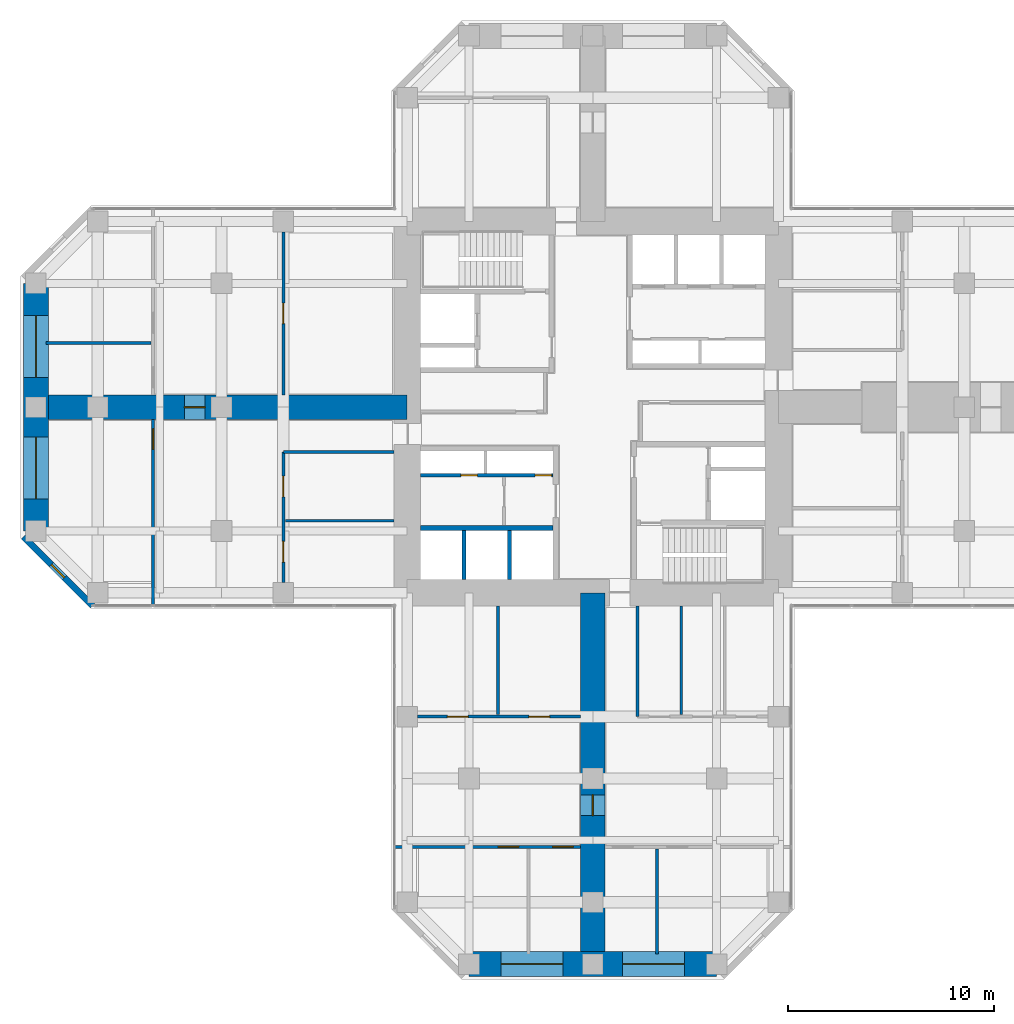
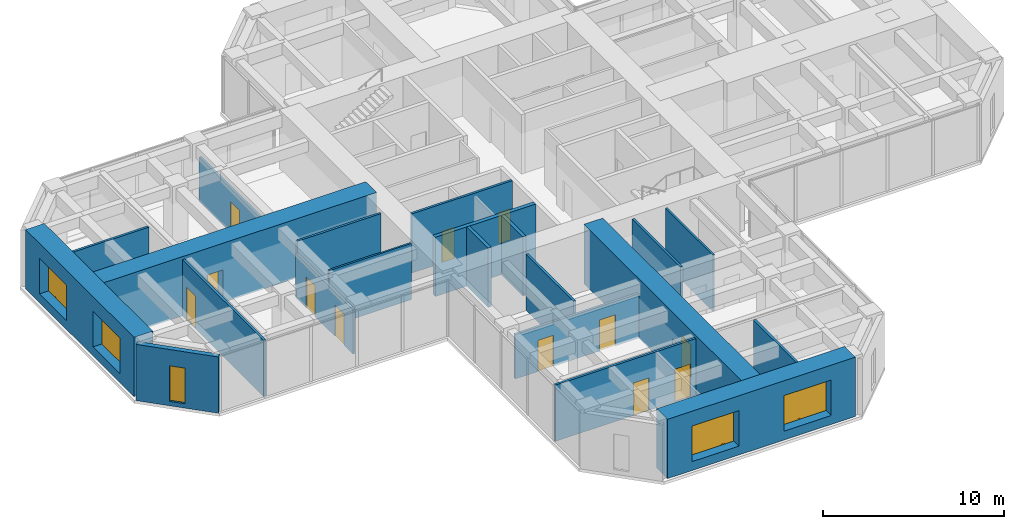
# One storey, part 8 of 13: 21 walls, 12 doors, 5 windows, 17 openings.
"""IFC4 building model written with IfcOpenShell, lengths in metres."""

from ifc_helpers import new_model, si_unit, direction, frame, frame_2d, origin, place, context, subcontext, project, spatial, rectangle, hollow_rectangle, extrude, material, layer, layer_set, constituent, constituent_set, type_object, element, fill, save


model = new_model("IFC4")

# Units and contexts
model_context = context("Model", 3, precision=1e-05, world=origin(), true_north=direction((0.0, 1.0)))
body_context = subcontext(model_context, "Body", "Model", "MODEL_VIEW")
ifc_project = project(units=[si_unit("LENGTHUNIT", "METRE"), si_unit("AREAUNIT", "SQUARE_METRE"), si_unit("VOLUMEUNIT", "CUBIC_METRE"), si_unit("PLANEANGLEUNIT", "RADIAN"), si_unit("MASSUNIT", "GRAM", prefix="KILO")], contexts=[model_context])

# Site, building, storey
site_placement = place(None, origin())
site = spatial("IfcSite", under=ifc_project, at=site_placement, CompositionType="ELEMENT")
building_placement = place(site_placement, origin())
building = spatial("IfcBuilding", under=site, at=building_placement, Name="Torre Cruceta", CompositionType="ELEMENT")
storey_placement = place(building_placement, frame((0.0, 0.0, 156.5)))
storey = spatial("IfcBuildingStorey", under=building, at=storey_placement, Name="L38", CompositionType="ELEMENT", Elevation=156.5)

# Wall
ifc_material_1 = material(Name="Concrete G60 (fck 60 MPa)", Category="concrete")
ifc_layer_1 = layer(ifc_material_1, 0.25)
ifc_layer_set_1 = layer_set([ifc_layer_1], Name="Concrete G60 (fck 60 MPa)")
wall_type_1 = type_object("IfcWallType", Name="CORE INNER WALL 250 G60", PredefinedType="SHEAR", material=ifc_layer_set_1)
wall_1_placement = place(storey_placement, frame((-1.925048828125, -5.85009765625, 0.0), z_axis=(0.0, 0.0, 1.0), x_axis=(-1.0, 0.0, 0.0)))
element("IfcWall", 1, at=wall_1_placement, inside=storey, type_object=wall_type_1, Name="CW4 L38 SW-LV", PredefinedType="SHEAR", context=body_context, shape_type="SweptSolid", body=[
    extrude(rectangle(XDim=6.425048828125, YDim=0.25, at=frame_2d((3.21240234375, 0.0))), origin(), (0.0, 0.0, 1.0), 4.0),
])

# Wall, opening, window
ifc_material_2 = material(Name="Concrete G30 (fck 30 MPa)", Category="concrete")
ifc_layer_2 = layer(ifc_material_2, 0.300048828125)
ifc_layer_set_2 = layer_set([ifc_layer_2], Name="Concrete G30 (fck 30 MPa)")
wall_type_2 = type_object("IfcWallType", Name="EXPOSED CONCRETE FACADE WALL 300", PredefinedType="SOLIDWALL", material=ifc_layer_set_2)
wall_2_placement = place(storey_placement, frame((-27.60009765625, -6.27685546875, 0.0), z_axis=(0.0, 0.0, 1.0), x_axis=(0.707106781187, -0.707106781187, 0.0)))
wall_2 = element("IfcWall", 2, at=wall_2_placement, inside=storey, type_object=wall_type_2, Name="EW1 facade wall L38 W chamfer 13", PredefinedType="SOLIDWALL", context=body_context, shape_type="SweptSolid", body=[
    extrude(rectangle(XDim=4.72802734375, YDim=0.300048828125, at=frame_2d((2.364013671875, 0.0))), origin(), (0.0, 0.0, 1.0), 3.800048828125),
])
opening_1_placement = place(wall_2_placement, frame((1.9140625, 0.0, 0.300048828125)))
opening_1 = element("IfcOpeningElement", 3, at=opening_1_placement, cuts=wall_2, Name="Opening WN5", PredefinedType="OPENING", context=body_context, shape_type="SweptSolid", body=[
    extrude(rectangle(XDim=0.89990234375, YDim=2.39990234375, at=frame_2d((0.449951171875, 1.199951171875))), frame((0.0, 0.159912109375, 0.0), z_axis=(0.0, -1.0, 0.0), x_axis=(1.0, 0.0, 0.0)), (0.0, 0.0, 1.0), 0.320068359375),
])
ifc_material_3 = material(Name="Aluminium window frame", Category="aluminium")
ifc_constituent_1 = constituent(ifc_material_3, Name="Frame")
ifc_material_4 = material(Name="Laminated insulating glass unit, low-iron clear", Category="glass")
ifc_constituent_2 = constituent(ifc_material_4, Name="Glazing")
ifc_constituent_set_1 = constituent_set(constituents=[ifc_constituent_1, ifc_constituent_2], Name="Aluminium window")
window_type_1 = type_object("IfcWindowType", Name="CHAMFER SLOT WINDOW 900X2400", PartitioningType="SINGLE_PANEL", PredefinedType="WINDOW", material=ifc_constituent_set_1)
window_1_placement = place(opening_1_placement, origin())
window_1 = element("IfcWindow", 4, at=window_1_placement, inside=storey, type_object=window_type_1, Name="WN5 L38 W 1", OverallHeight=2.39990234375, OverallWidth=0.89990234375, PartitioningType="SINGLE_PANEL", PredefinedType="WINDOW", context=body_context, shape_type="SweptSolid", body=[
    extrude(hollow_rectangle(XDim=0.89990234375, YDim=2.39990234375, WallThickness=0.06005859375, at=frame_2d((0.449951171875, 1.199951171875))), frame((0.0, 0.030029296875, 0.0), z_axis=(0.0, -1.0, 0.0), x_axis=(1.0, 0.0, 0.0)), (0.0, 0.0, 1.0), 0.06005859375),
    extrude(rectangle(XDim=0.77880859375, YDim=2.27880859375, at=frame_2d((0.449951171875, 1.199951171875))), frame((0.0, 0.030029296875, 0.0), z_axis=(0.0, -1.0, 0.0), x_axis=(1.0, 0.0, 0.0)), (0.0, 0.0, 1.0), 0.06005859375),
])
fill(opening_1, window_1)

# Walls
ifc_material_5 = material(Name="Concrete G35 (fck 35 MPa)", Category="concrete")
ifc_layer_3 = layer(ifc_material_5, 0.199951171875)
ifc_layer_set_3 = layer_set([ifc_layer_3], Name="Concrete G35 (fck 35 MPa)")
wall_type_3 = type_object("IfcWallType", Name="LIFT SHAFT WALL 200", PredefinedType="PARTITIONING", material=ifc_layer_set_3)
for number, where, z_axis, x_axis, name in (
    (5, (-4.033447265625, -5.97509765625, 0.0), (0.0, 0.0, 1.0), (0.0, -1.0, 0.0), "SW1 L38 SW-LS1"),
    (6, (-6.24169921875, -5.97509765625, 0.0), (0.0, 0.0, 1.0), (0.0, -1.0, 0.0), "SW1 L38 SW-LS2"),
):
    element("IfcWall", number, at=place(storey_placement, frame(where, z_axis=z_axis, x_axis=x_axis)), inside=storey, type_object=wall_type_3, Name=name, PredefinedType="PARTITIONING", context=body_context, shape_type="SweptSolid", body=[
        extrude(rectangle(XDim=2.375, YDim=0.199951171875, at=frame_2d((1.1875, 0.0))), origin(), (0.0, 0.0, 1.0), 4.0),
    ])

# Wall, openings, windows
ifc_material_6 = material(Name="Concrete G60 (fck 60 MPa)", Category="concrete")
ifc_layer_4 = layer(ifc_material_6, 1.199951171875)
ifc_layer_set_4 = layer_set([ifc_layer_4], Name="Concrete G60 (fck 60 MPa)")
wall_type_4 = type_object("IfcWallType", Name="NOSE WALL 1200 G60", PredefinedType="SHEAR", material=ifc_layer_set_4)
wall_3_placement = place(storey_placement, frame((-6.0, -27.0, 0.0), z_axis=(0.0, 0.0, 1.0), x_axis=(1.0, 0.0, 0.0)))
wall_3 = element("IfcWall", 7, at=wall_3_placement, inside=storey, type_object=wall_type_4, Name="NW1 nose wall L38 S", PredefinedType="SHEAR", context=body_context, shape_type="SweptSolid", body=[
    extrude(rectangle(XDim=12.0, YDim=1.199951171875, at=frame_2d((6.0, 0.0))), origin(), (0.0, 0.0, 1.0), 4.0),
])
opening_2_placement = place(wall_3_placement, frame((1.550048828125, 0.0, 0.60009765625)))
opening_2 = element("IfcOpeningElement", 8, at=opening_2_placement, cuts=wall_3, Name="Opening WN6", PredefinedType="OPENING", context=body_context, shape_type="SweptSolid", body=[
    extrude(rectangle(XDim=3.0, YDim=2.39990234375, at=frame_2d((1.5, 1.199951171875))), frame((0.0, 0.60986328125, 0.0), z_axis=(0.0, -1.0, 0.0), x_axis=(1.0, 0.0, 0.0)), (0.0, 0.0, 1.0), 1.219970703125),
])
opening_3_placement = place(wall_3_placement, frame((7.449951171875, 0.0, 0.60009765625)))
opening_3 = element("IfcOpeningElement", 9, at=opening_3_placement, cuts=wall_3, Name="Opening WN6", PredefinedType="OPENING", context=body_context, shape_type="SweptSolid", body=[
    extrude(rectangle(XDim=3.0, YDim=2.39990234375, at=frame_2d((1.5, 1.199951171875))), frame((0.0, 0.60986328125, 0.0), z_axis=(0.0, -1.0, 0.0), x_axis=(1.0, 0.0, 0.0)), (0.0, 0.0, 1.0), 1.219970703125),
])
ifc_material_7 = material(Name="Aluminium window frame", Category="aluminium")
ifc_constituent_3 = constituent(ifc_material_7, Name="Frame")
ifc_material_8 = material(Name="Laminated insulating glass unit, low-iron clear", Category="glass")
ifc_constituent_4 = constituent(ifc_material_8, Name="Glazing")
ifc_constituent_set_2 = constituent_set(constituents=[ifc_constituent_3, ifc_constituent_4], Name="Aluminium window")
window_type_2 = type_object("IfcWindowType", Name="NOSE WALL WINDOW 3000X2400", PartitioningType="SINGLE_PANEL", PredefinedType="WINDOW", material=ifc_constituent_set_2)
window_2_placement = place(opening_2_placement, origin())
window_2 = element("IfcWindow", 10, at=window_2_placement, inside=storey, type_object=window_type_2, Name="WN6 L38 S 1", OverallHeight=2.39990234375, OverallWidth=3.0, PartitioningType="SINGLE_PANEL", PredefinedType="WINDOW", context=body_context, shape_type="SweptSolid", body=[
    extrude(hollow_rectangle(XDim=3.0, YDim=2.39990234375, WallThickness=0.06005859375, at=frame_2d((1.5, 1.199951171875))), frame((0.0, 0.030029296875, 0.0), z_axis=(0.0, -1.0, 0.0), x_axis=(1.0, 0.0, 0.0)), (0.0, 0.0, 1.0), 0.06005859375),
    extrude(rectangle(XDim=2.87890625, YDim=2.27880859375, at=frame_2d((1.5, 1.199951171875))), frame((0.0, 0.030029296875, 0.0), z_axis=(0.0, -1.0, 0.0), x_axis=(1.0, 0.0, 0.0)), (0.0, 0.0, 1.0), 0.06005859375),
])
fill(opening_2, window_2)
window_3_placement = place(opening_3_placement, origin())
window_3 = element("IfcWindow", 11, at=window_3_placement, inside=storey, type_object=window_type_2, Name="WN6 L38 S 2", OverallHeight=2.39990234375, OverallWidth=3.0, PartitioningType="SINGLE_PANEL", PredefinedType="WINDOW", context=body_context, shape_type="SweptSolid", body=[
    extrude(hollow_rectangle(XDim=3.0, YDim=2.39990234375, WallThickness=0.06005859375, at=frame_2d((1.5, 1.199951171875))), frame((0.0, 0.030029296875, 0.0), z_axis=(0.0, -1.0, 0.0), x_axis=(1.0, 0.0, 0.0)), (0.0, 0.0, 1.0), 0.06005859375),
    extrude(rectangle(XDim=2.87890625, YDim=2.27880859375, at=frame_2d((1.5, 1.199951171875))), frame((0.0, 0.030029296875, 0.0), z_axis=(0.0, -1.0, 0.0), x_axis=(1.0, 0.0, 0.0)), (0.0, 0.0, 1.0), 0.06005859375),
])
fill(opening_3, window_3)

wall_4_placement = place(storey_placement, frame((-27.0, 6.0, 0.0), z_axis=(0.0, 0.0, 1.0), x_axis=(0.0, -1.0, 0.0)))
wall_4 = element("IfcWall", 12, at=wall_4_placement, inside=storey, type_object=wall_type_4, Name="NW1 nose wall L38 W", PredefinedType="SHEAR", context=body_context, shape_type="SweptSolid", body=[
    extrude(rectangle(XDim=12.0, YDim=1.199951171875, at=frame_2d((6.0, 0.0))), origin(), (0.0, 0.0, 1.0), 4.0),
])
opening_4_placement = place(wall_4_placement, frame((1.550048828125, 0.0, 0.60009765625)))
opening_4 = element("IfcOpeningElement", 13, at=opening_4_placement, cuts=wall_4, Name="Opening WN6", PredefinedType="OPENING", context=body_context, shape_type="SweptSolid", body=[
    extrude(rectangle(XDim=3.0, YDim=2.39990234375, at=frame_2d((1.5, 1.199951171875))), frame((0.0, 0.60986328125, 0.0), z_axis=(0.0, -1.0, 0.0), x_axis=(1.0, 0.0, 0.0)), (0.0, 0.0, 1.0), 1.219970703125),
])
opening_5_placement = place(wall_4_placement, frame((7.449951171875, 0.0, 0.60009765625)))
opening_5 = element("IfcOpeningElement", 14, at=opening_5_placement, cuts=wall_4, Name="Opening WN6", PredefinedType="OPENING", context=body_context, shape_type="SweptSolid", body=[
    extrude(rectangle(XDim=3.0, YDim=2.39990234375, at=frame_2d((1.5, 1.199951171875))), frame((0.0, 0.60986328125, 0.0), z_axis=(0.0, -1.0, 0.0), x_axis=(1.0, 0.0, 0.0)), (0.0, 0.0, 1.0), 1.219970703125),
])
window_4_placement = place(opening_4_placement, origin())
window_4 = element("IfcWindow", 15, at=window_4_placement, inside=storey, type_object=window_type_2, Name="WN6 L38 W 1", OverallHeight=2.39990234375, OverallWidth=3.0, PartitioningType="SINGLE_PANEL", PredefinedType="WINDOW", context=body_context, shape_type="SweptSolid", body=[
    extrude(hollow_rectangle(XDim=3.0, YDim=2.39990234375, WallThickness=0.06005859375, at=frame_2d((1.5, 1.199951171875))), frame((0.0, 0.030029296875, 0.0), z_axis=(0.0, -1.0, 0.0), x_axis=(1.0, 0.0, 0.0)), (0.0, 0.0, 1.0), 0.06005859375),
    extrude(rectangle(XDim=2.87890625, YDim=2.27880859375, at=frame_2d((1.5, 1.199951171875))), frame((0.0, 0.030029296875, 0.0), z_axis=(0.0, -1.0, 0.0), x_axis=(1.0, 0.0, 0.0)), (0.0, 0.0, 1.0), 0.06005859375),
])
fill(opening_4, window_4)
window_5_placement = place(opening_5_placement, origin())
window_5 = element("IfcWindow", 16, at=window_5_placement, inside=storey, type_object=window_type_2, Name="WN6 L38 W 2", OverallHeight=2.39990234375, OverallWidth=3.0, PartitioningType="SINGLE_PANEL", PredefinedType="WINDOW", context=body_context, shape_type="SweptSolid", body=[
    extrude(hollow_rectangle(XDim=3.0, YDim=2.39990234375, WallThickness=0.06005859375, at=frame_2d((1.5, 1.199951171875))), frame((0.0, 0.030029296875, 0.0), z_axis=(0.0, -1.0, 0.0), x_axis=(1.0, 0.0, 0.0)), (0.0, 0.0, 1.0), 0.06005859375),
    extrude(rectangle(XDim=2.87890625, YDim=2.27880859375, at=frame_2d((1.5, 1.199951171875))), frame((0.0, 0.030029296875, 0.0), z_axis=(0.0, -1.0, 0.0), x_axis=(1.0, 0.0, 0.0)), (0.0, 0.0, 1.0), 0.06005859375),
])
fill(opening_5, window_5)

# Wall
ifc_material_9 = material(Name="Plasterboard on steel studs", Category="steel")
ifc_layer_5 = layer(ifc_material_9, 0.14990234375)
ifc_layer_set_5 = layer_set([ifc_layer_5], Name="Plasterboard on steel studs")
wall_type_5 = type_object("IfcWallType", Name="PARTITION 150", PredefinedType="PARTITIONING", material=ifc_layer_set_5)
wall_5_placement = place(storey_placement, frame((2.175048828125, -9.64990234375, 0.0), z_axis=(0.0, 0.0, 1.0), x_axis=(0.0, -1.0, 0.0)))
element("IfcWall", 17, at=wall_5_placement, inside=storey, type_object=wall_type_5, Name="PT1 L38-S-BSL", PredefinedType="PARTITIONING", context=body_context, shape_type="SweptSolid", body=[
    extrude(rectangle(XDim=5.35009765625, YDim=0.14990234375, at=frame_2d((2.675048828125, 0.0))), origin(), (0.0, 0.0, 1.0), 3.800048828125),
])

# Wall, openings, doors
wall_6_placement = place(storey_placement, frame((-8.5, -15.0, 0.0), z_axis=(0.0, 0.0, 1.0), x_axis=(1.0, 0.0, 0.0)))
wall_6 = element("IfcWall", 18, at=wall_6_placement, inside=storey, type_object=wall_type_5, Name="PT1 L38-S-BFR", PredefinedType="PARTITIONING", context=body_context, shape_type="SweptSolid", body=[
    extrude(rectangle(XDim=7.89990234375, YDim=0.14990234375, at=frame_2d((3.949951171875, 0.0))), origin(), (0.0, 0.0, 1.0), 3.0),
])
opening_6_placement = place(wall_6_placement, frame((1.449951171875, 0.0, 0.0)))
opening_6 = element("IfcOpeningElement", 19, at=opening_6_placement, cuts=wall_6, Name="Opening D3", PredefinedType="OPENING", context=body_context, shape_type="SweptSolid", body=[
    extrude(rectangle(XDim=1.0, YDim=2.10009765625, at=frame_2d((0.5, 1.050048828125))), frame((0.0, 0.0849609375, 0.0), z_axis=(0.0, -1.0, 0.0), x_axis=(1.0, 0.0, 0.0)), (0.0, 0.0, 1.0), 0.169921875),
])
opening_7_placement = place(wall_6_placement, frame((5.39990234375, 0.0, 0.0)))
opening_7 = element("IfcOpeningElement", 20, at=opening_7_placement, cuts=wall_6, Name="Opening D3", PredefinedType="OPENING", context=body_context, shape_type="SweptSolid", body=[
    extrude(rectangle(XDim=1.0, YDim=2.10009765625, at=frame_2d((0.5, 1.050048828125))), frame((0.0, 0.0849609375, 0.0), z_axis=(0.0, -1.0, 0.0), x_axis=(1.0, 0.0, 0.0)), (0.0, 0.0, 1.0), 0.169921875),
])
ifc_material_10 = material(Name="Steel DX51D", Category="steel")
ifc_constituent_5 = constituent(ifc_material_10, Name="Leaf and frame")
ifc_material_11 = material(Name="Polyester powder coating", Category="paint")
ifc_constituent_6 = constituent(ifc_material_11, Name="Finish")
ifc_constituent_set_3 = constituent_set(constituents=[ifc_constituent_5, ifc_constituent_6], Name="Steel fire door")
door_type_1 = type_object("IfcDoorType", Name="FIRE DOOR 1000X2100", OperationType="SINGLE_SWING_LEFT", PredefinedType="DOOR", material=ifc_constituent_set_3)
door_1_placement = place(opening_6_placement, origin())
door_1 = element("IfcDoor", 21, at=door_1_placement, inside=storey, type_object=door_type_1, Name="D3 L38-S-BFR-D1", OperationType="SINGLE_SWING_RIGHT", OverallHeight=2.10009765625, OverallWidth=1.0, PredefinedType="DOOR", context=body_context, shape_type="SweptSolid", body=[
    extrude(rectangle(XDim=1.0, YDim=2.10009765625, at=frame_2d((0.5, 1.050048828125))), frame((0.0, 0.02490234375, 0.0), z_axis=(0.0, -1.0, 0.0), x_axis=(1.0, 0.0, 0.0)), (0.0, 0.0, 1.0), 0.050048828125),
])
fill(opening_6, door_1)
door_2_placement = place(opening_7_placement, origin())
door_2 = element("IfcDoor", 22, at=door_2_placement, inside=storey, type_object=door_type_1, Name="D3 L38-S-BFR-D2", OperationType="SINGLE_SWING_LEFT", OverallHeight=2.10009765625, OverallWidth=1.0, PredefinedType="DOOR", context=body_context, shape_type="SweptSolid", body=[
    extrude(rectangle(XDim=1.0, YDim=2.10009765625, at=frame_2d((0.5, 1.050048828125))), frame((0.0, 0.02490234375, 0.0), z_axis=(0.0, -1.0, 0.0), x_axis=(1.0, 0.0, 0.0)), (0.0, 0.0, 1.0), 0.050048828125),
])
fill(opening_7, door_2)

# Walls
wall_7_placement = place(storey_placement, frame((-4.60009765625, -9.64990234375, 0.0), z_axis=(0.0, 0.0, 1.0), x_axis=(0.0, -1.0, 0.0)))
element("IfcWall", 23, at=wall_7_placement, inside=storey, type_object=wall_type_5, Name="PT1 L38-S-BDR1", PredefinedType="PARTITIONING", context=body_context, shape_type="SweptSolid", body=[
    extrude(rectangle(XDim=5.25, YDim=0.14990234375, at=frame_2d((2.625, 0.0))), origin(), (0.0, 0.0, 1.0), 3.800048828125),
])
wall_8_placement = place(storey_placement, frame((3.117919921875, -21.419921875, 0.0), z_axis=(0.0, 0.0, 1.0), x_axis=(0.0, -1.0, 0.0)))
element("IfcWall", 24, at=wall_8_placement, inside=storey, type_object=wall_type_5, Name="PT1 L38-S-TDL", PredefinedType="PARTITIONING", context=body_context, shape_type="SweptSolid", body=[
    extrude(rectangle(XDim=5.080078125, YDim=0.14990234375, at=frame_2d((2.5400390625, 0.0))), origin(), (0.0, 0.0, 1.0), 3.800048828125),
])

# Wall, openings, doors
wall_9_placement = place(storey_placement, frame((-9.580078125, -21.320068359375, 0.0), z_axis=(0.0, 0.0, 1.0), x_axis=(1.0, 0.0, 0.0)))
wall_9 = element("IfcWall", 25, at=wall_9_placement, inside=storey, type_object=wall_type_5, Name="PT1 L38-S-TWR", PredefinedType="PARTITIONING", context=body_context, shape_type="SweptSolid", body=[
    extrude(rectangle(XDim=8.97998046875, YDim=0.14990234375, at=frame_2d((4.489990234375, 0.0))), origin(), (0.0, 0.0, 1.0), 3.800048828125),
])
opening_8_placement = place(wall_9_placement, frame((4.987060546875, 0.0, 0.0)))
opening_8 = element("IfcOpeningElement", 26, at=opening_8_placement, cuts=wall_9, Name="Opening D14", PredefinedType="OPENING", context=body_context, shape_type="SweptSolid", body=[
    extrude(rectangle(XDim=1.0, YDim=2.199951171875, at=frame_2d((0.5, 1.10009765625))), frame((0.0, 0.0849609375, 0.0), z_axis=(0.0, -1.0, 0.0), x_axis=(1.0, 0.0, 0.0)), (0.0, 0.0, 1.0), 0.169921875),
])
opening_9_placement = place(wall_9_placement, frame((7.6298828125, 0.0, 0.0)))
opening_9 = element("IfcOpeningElement", 27, at=opening_9_placement, cuts=wall_9, Name="Opening D14", PredefinedType="OPENING", context=body_context, shape_type="SweptSolid", body=[
    extrude(rectangle(XDim=1.0, YDim=2.199951171875, at=frame_2d((0.5, 1.10009765625))), frame((0.0, 0.0849609375, 0.0), z_axis=(0.0, -1.0, 0.0), x_axis=(1.0, 0.0, 0.0)), (0.0, 0.0, 1.0), 0.169921875),
])
ifc_material_12 = material(Name="Steel DX51D", Category="steel")
ifc_constituent_7 = constituent(ifc_material_12, Name="Leaf and frame")
ifc_material_13 = material(Name="Polyester powder coating", Category="paint")
ifc_constituent_8 = constituent(ifc_material_13, Name="Finish")
ifc_material_14 = material(Name="Fire-resisting glass", Category="glass")
ifc_constituent_9 = constituent(ifc_material_14, Name="Vision panel")
ifc_constituent_set_4 = constituent_set(constituents=[ifc_constituent_7, ifc_constituent_8, ifc_constituent_9], Name="Steel fire door with vision panel")
door_type_2 = type_object("IfcDoorType", Name="FIRE DOOR VISION PANEL 1000X2200", OperationType="SINGLE_SWING_RIGHT", PredefinedType="DOOR", material=ifc_constituent_set_4)
door_3_placement = place(opening_8_placement, frame((1.0, 0.0, 0.0), z_axis=(0.0, 0.0, 1.0), x_axis=(-1.0, 0.0, 0.0)))
door_3 = element("IfcDoor", 28, at=door_3_placement, inside=storey, type_object=door_type_2, Name="D14 L38-S-TWR-D1", OperationType="SINGLE_SWING_LEFT", OverallHeight=2.199951171875, OverallWidth=1.0, PredefinedType="DOOR", context=body_context, shape_type="SweptSolid", body=[
    extrude(rectangle(XDim=1.0, YDim=2.199951171875, at=frame_2d((0.5, 1.10009765625))), frame((0.0, 0.025146484375, 0.0), z_axis=(0.0, -1.0, 0.0), x_axis=(1.0, 0.0, 0.0)), (0.0, 0.0, 1.0), 0.050048828125),
])
fill(opening_8, door_3)
door_4_placement = place(opening_9_placement, frame((1.0, 0.0, 0.0), z_axis=(0.0, 0.0, 1.0), x_axis=(-1.0, 0.0, 0.0)))
door_4 = element("IfcDoor", 29, at=door_4_placement, inside=storey, type_object=door_type_2, Name="D14 L38-S-TWR-D2", OperationType="SINGLE_SWING_LEFT", OverallHeight=2.199951171875, OverallWidth=1.0, PredefinedType="DOOR", context=body_context, shape_type="SweptSolid", body=[
    extrude(rectangle(XDim=1.0, YDim=2.199951171875, at=frame_2d((0.5, 1.10009765625))), frame((0.0, 0.025146484375, 0.0), z_axis=(0.0, -1.0, 0.0), x_axis=(1.0, 0.0, 0.0)), (0.0, 0.0, 1.0), 0.050048828125),
])
fill(opening_9, door_4)

wall_10_placement = place(storey_placement, frame((-15.0, -2.175048828125, 0.0), z_axis=(0.0, 0.0, 1.0), x_axis=(0.0, -1.0, 0.0)))
wall_10 = element("IfcWall", 30, at=wall_10_placement, inside=storey, type_object=wall_type_5, Name="PT1 L38-W-BFL", PredefinedType="PARTITIONING", context=body_context, shape_type="SweptSolid", body=[
    extrude(rectangle(XDim=6.324951171875, YDim=0.14990234375, at=frame_2d((3.16259765625, 0.0))), origin(), (0.0, 0.0, 1.0), 3.0),
])
opening_10_placement = place(wall_10_placement, frame((1.169189453125, 0.0, 0.0)))
opening_10 = element("IfcOpeningElement", 31, at=opening_10_placement, cuts=wall_10, Name="Opening D3", PredefinedType="OPENING", context=body_context, shape_type="SweptSolid", body=[
    extrude(rectangle(XDim=1.0, YDim=2.10009765625, at=frame_2d((0.5, 1.050048828125))), frame((0.0, 0.0849609375, 0.0), z_axis=(0.0, -1.0, 0.0), x_axis=(1.0, 0.0, 0.0)), (0.0, 0.0, 1.0), 0.169921875),
])
opening_11_placement = place(wall_10_placement, frame((4.33154296875, 0.0, 0.0)))
opening_11 = element("IfcOpeningElement", 32, at=opening_11_placement, cuts=wall_10, Name="Opening D3", PredefinedType="OPENING", context=body_context, shape_type="SweptSolid", body=[
    extrude(rectangle(XDim=1.0, YDim=2.10009765625, at=frame_2d((0.5, 1.050048828125))), frame((0.0, 0.0849609375, 0.0), z_axis=(0.0, -1.0, 0.0), x_axis=(1.0, 0.0, 0.0)), (0.0, 0.0, 1.0), 0.169921875),
])
door_5_placement = place(opening_10_placement, origin())
door_5 = element("IfcDoor", 33, at=door_5_placement, inside=storey, type_object=door_type_1, Name="D3 L38-W-BFL-D1", OperationType="SINGLE_SWING_LEFT", OverallHeight=2.10009765625, OverallWidth=1.0, PredefinedType="DOOR", context=body_context, shape_type="SweptSolid", body=[
    extrude(rectangle(XDim=1.0, YDim=2.10009765625, at=frame_2d((0.5, 1.050048828125))), frame((0.0, 0.02490234375, 0.0), z_axis=(0.0, -1.0, 0.0), x_axis=(1.0, 0.0, 0.0)), (0.0, 0.0, 1.0), 0.050048828125),
])
fill(opening_10, door_5)
door_6_placement = place(opening_11_placement, origin())
door_6 = element("IfcDoor", 34, at=door_6_placement, inside=storey, type_object=door_type_1, Name="D3 L38-W-BFL-D2", OperationType="SINGLE_SWING_LEFT", OverallHeight=2.10009765625, OverallWidth=1.0, PredefinedType="DOOR", context=body_context, shape_type="SweptSolid", body=[
    extrude(rectangle(XDim=1.0, YDim=2.10009765625, at=frame_2d((0.5, 1.050048828125))), frame((0.0, 0.02490234375, 0.0), z_axis=(0.0, -1.0, 0.0), x_axis=(1.0, 0.0, 0.0)), (0.0, 0.0, 1.0), 0.050048828125),
])
fill(opening_11, door_6)

# Wall
wall_11_placement = place(storey_placement, frame((-9.64990234375, -2.175048828125, 0.0), z_axis=(0.0, 0.0, 1.0), x_axis=(-1.0, 0.0, 0.0)))
element("IfcWall", 35, at=wall_11_placement, inside=storey, type_object=wall_type_5, Name="PT1 L38-W-BSL", PredefinedType="PARTITIONING", context=body_context, shape_type="SweptSolid", body=[
    extrude(rectangle(XDim=5.35009765625, YDim=0.14990234375, at=frame_2d((2.675048828125, 0.0))), origin(), (0.0, 0.0, 1.0), 3.800048828125),
])

# Wall, opening, door
wall_12_placement = place(storey_placement, frame((-15.0, 8.5, 0.0), z_axis=(0.0, 0.0, 1.0), x_axis=(0.0, -1.0, 0.0)))
wall_12 = element("IfcWall", 36, at=wall_12_placement, inside=storey, type_object=wall_type_5, Name="PT1 L38-W-BFR", PredefinedType="PARTITIONING", context=body_context, shape_type="SweptSolid", body=[
    extrude(rectangle(XDim=7.89990234375, YDim=0.14990234375, at=frame_2d((3.949951171875, 0.0))), origin(), (0.0, 0.0, 1.0), 3.0),
])
opening_12_placement = place(wall_12_placement, frame((3.449951171875, 0.0, 0.0)))
opening_12 = element("IfcOpeningElement", 37, at=opening_12_placement, cuts=wall_12, Name="Opening D3", PredefinedType="OPENING", context=body_context, shape_type="SweptSolid", body=[
    extrude(rectangle(XDim=1.0, YDim=2.10009765625, at=frame_2d((0.5, 1.050048828125))), frame((0.0, 0.0849609375, 0.0), z_axis=(0.0, -1.0, 0.0), x_axis=(1.0, 0.0, 0.0)), (0.0, 0.0, 1.0), 0.169921875),
])
door_7_placement = place(opening_12_placement, origin())
door_7 = element("IfcDoor", 38, at=door_7_placement, inside=storey, type_object=door_type_1, Name="D3 L38-W-BFR-D1", OperationType="SINGLE_SWING_RIGHT", OverallHeight=2.10009765625, OverallWidth=1.0, PredefinedType="DOOR", context=body_context, shape_type="SweptSolid", body=[
    extrude(rectangle(XDim=1.0, YDim=2.10009765625, at=frame_2d((0.5, 1.050048828125))), frame((0.0, 0.02490234375, 0.0), z_axis=(0.0, -1.0, 0.0), x_axis=(1.0, 0.0, 0.0)), (0.0, 0.0, 1.0), 0.050048828125),
])
fill(opening_12, door_7)

wall_13_placement = place(storey_placement, frame((-21.320068359375, -0.60009765625, 0.0), z_axis=(0.0, 0.0, 1.0), x_axis=(0.0, -1.0, 0.0)))
wall_13 = element("IfcWall", 39, at=wall_13_placement, inside=storey, type_object=wall_type_5, Name="PT1 L38-W-TWL", PredefinedType="PARTITIONING", context=body_context, shape_type="SweptSolid", body=[
    extrude(rectangle(XDim=8.97998046875, YDim=0.14990234375, at=frame_2d((4.489990234375, 0.0))), origin(), (0.0, 0.0, 1.0), 3.800048828125),
])
opening_13_placement = place(wall_13_placement, frame((0.449951171875, 0.0, 0.0)))
opening_13 = element("IfcOpeningElement", 40, at=opening_13_placement, cuts=wall_13, Name="Opening D14", PredefinedType="OPENING", context=body_context, shape_type="SweptSolid", body=[
    extrude(rectangle(XDim=1.0, YDim=2.199951171875, at=frame_2d((0.5, 1.10009765625))), frame((0.0, 0.0849609375, 0.0), z_axis=(0.0, -1.0, 0.0), x_axis=(1.0, 0.0, 0.0)), (0.0, 0.0, 1.0), 0.169921875),
])
door_8_placement = place(opening_13_placement, frame((1.0, 0.0, 0.0), z_axis=(0.0, 0.0, 1.0), x_axis=(-1.0, 0.0, 0.0)))
door_8 = element("IfcDoor", 41, at=door_8_placement, inside=storey, type_object=door_type_2, Name="D14 L38-W-TWL-D1", OperationType="SINGLE_SWING_RIGHT", OverallHeight=2.199951171875, OverallWidth=1.0, PredefinedType="DOOR", context=body_context, shape_type="SweptSolid", body=[
    extrude(rectangle(XDim=1.0, YDim=2.199951171875, at=frame_2d((0.5, 1.10009765625))), frame((0.0, 0.025146484375, 0.0), z_axis=(0.0, -1.0, 0.0), x_axis=(1.0, 0.0, 0.0)), (0.0, 0.0, 1.0), 0.050048828125),
])
fill(opening_13, door_8)

# Wall
wall_14_placement = place(storey_placement, frame((-21.419921875, 3.117919921875, 0.0), z_axis=(0.0, 0.0, 1.0), x_axis=(-1.0, 0.0, 0.0)))
element("IfcWall", 42, at=wall_14_placement, inside=storey, type_object=wall_type_5, Name="PT1 L38-W-TDR", PredefinedType="PARTITIONING", context=body_context, shape_type="SweptSolid", body=[
    extrude(rectangle(XDim=5.080078125, YDim=0.14990234375, at=frame_2d((2.5400390625, 0.0))), origin(), (0.0, 0.0, 1.0), 3.800048828125),
])

# Wall, openings, doors
ifc_material_15 = material(Name="Concrete block masonry", Category="masonry")
ifc_layer_6 = layer(ifc_material_15, 0.14990234375)
ifc_layer_set_6 = layer_set([ifc_layer_6], Name="Concrete block masonry")
wall_type_6 = type_object("IfcWallType", Name="RISER WALL 150", PredefinedType="PARTITIONING", material=ifc_layer_set_6)
wall_15_placement = place(storey_placement, frame((-1.925048828125, -3.300048828125, 0.0), z_axis=(0.0, 0.0, 1.0), x_axis=(-1.0, 0.0, 0.0)))
wall_15 = element("IfcWall", 43, at=wall_15_placement, inside=storey, type_object=wall_type_6, Name="SW7 L38 SW-RV", PredefinedType="PARTITIONING", context=body_context, shape_type="SweptSolid", body=[
    extrude(rectangle(XDim=6.425048828125, YDim=0.14990234375, at=frame_2d((3.21240234375, 0.0))), origin(), (0.0, 0.0, 1.0), 4.0),
])
opening_14_placement = place(wall_15_placement, frame((0.074951171875, 0.0, 0.0)))
opening_14 = element("IfcOpeningElement", 44, at=opening_14_placement, cuts=wall_15, Name="Opening D5", PredefinedType="OPENING", context=body_context, shape_type="SweptSolid", body=[
    extrude(rectangle(XDim=0.800048828125, YDim=2.10009765625, at=frame_2d((0.39990234375, 1.050048828125))), frame((0.0, 0.0849609375, 0.0), z_axis=(0.0, -1.0, 0.0), x_axis=(1.0, 0.0, 0.0)), (0.0, 0.0, 1.0), 0.169921875),
])
opening_15_placement = place(wall_15_placement, frame((3.675048828125, 0.0, 0.0)))
opening_15 = element("IfcOpeningElement", 45, at=opening_15_placement, cuts=wall_15, Name="Opening D5", PredefinedType="OPENING", context=body_context, shape_type="SweptSolid", body=[
    extrude(rectangle(XDim=0.800048828125, YDim=2.10009765625, at=frame_2d((0.39990234375, 1.050048828125))), frame((0.0, 0.0849609375, 0.0), z_axis=(0.0, -1.0, 0.0), x_axis=(1.0, 0.0, 0.0)), (0.0, 0.0, 1.0), 0.169921875),
])
ifc_material_16 = material(Name="Steel DX51D", Category="steel")
ifc_constituent_10 = constituent(ifc_material_16, Name="Leaf and frame")
ifc_material_17 = material(Name="Polyester powder coating", Category="paint")
ifc_constituent_11 = constituent(ifc_material_17, Name="Finish")
ifc_constituent_set_5 = constituent_set(constituents=[ifc_constituent_10, ifc_constituent_11], Name="Steel fire door")
door_type_3 = type_object("IfcDoorType", Name="RISER ACCESS DOOR 800X2100", OperationType="SINGLE_SWING_LEFT", PredefinedType="DOOR", material=ifc_constituent_set_5)
door_9_placement = place(opening_14_placement, frame((0.800048828125, 0.0, 0.0), z_axis=(0.0, 0.0, 1.0), x_axis=(-1.0, 0.0, 0.0)))
door_9 = element("IfcDoor", 46, at=door_9_placement, inside=storey, type_object=door_type_3, Name="D5 L38 SW-RISER1", OperationType="SINGLE_SWING_RIGHT", OverallHeight=2.10009765625, OverallWidth=0.800048828125, PredefinedType="DOOR", context=body_context, shape_type="SweptSolid", body=[
    extrude(rectangle(XDim=0.800048828125, YDim=2.10009765625, at=frame_2d((0.400146484375, 1.050048828125))), frame((0.0, 0.025146484375, 0.0), z_axis=(0.0, -1.0, 0.0), x_axis=(1.0, 0.0, 0.0)), (0.0, 0.0, 1.0), 0.050048828125),
])
fill(opening_14, door_9)
door_10_placement = place(opening_15_placement, frame((0.800048828125, 0.0, 0.0), z_axis=(0.0, 0.0, 1.0), x_axis=(-1.0, 0.0, 0.0)))
door_10 = element("IfcDoor", 47, at=door_10_placement, inside=storey, type_object=door_type_3, Name="D5 L38 SW-RISER2", OperationType="SINGLE_SWING_RIGHT", OverallHeight=2.10009765625, OverallWidth=0.800048828125, PredefinedType="DOOR", context=body_context, shape_type="SweptSolid", body=[
    extrude(rectangle(XDim=0.800048828125, YDim=2.10009765625, at=frame_2d((0.400146484375, 1.050048828125))), frame((0.0, 0.025146484375, 0.0), z_axis=(0.0, -1.0, 0.0), x_axis=(1.0, 0.0, 0.0)), (0.0, 0.0, 1.0), 0.050048828125),
])
fill(opening_15, door_10)

# Wall, opening, door
ifc_material_18 = material(Name="Concrete G60 (fck 60 MPa)", Category="concrete")
ifc_layer_7 = layer(ifc_material_18, 1.199951171875)
ifc_layer_set_7 = layer_set([ifc_layer_7], Name="Concrete G60 (fck 60 MPa)")
wall_type_7 = type_object("IfcWallType", Name="SPINE WALL 1200 G60", PredefinedType="SHEAR", material=ifc_layer_set_7)
wall_16_placement = place(storey_placement, frame((0.0, -9.0, 0.0), z_axis=(0.0, 0.0, 1.0), x_axis=(0.0, -1.0, 0.0)))
wall_16 = element("IfcWall", 48, at=wall_16_placement, inside=storey, type_object=wall_type_7, Name="SW3 spine wall L38 S", PredefinedType="SHEAR", context=body_context, shape_type="SweptSolid", body=[
    extrude(rectangle(XDim=18.0, YDim=1.199951171875, at=frame_2d((9.0, 0.0))), origin(), (0.0, 0.0, 1.0), 4.0),
])
opening_16_placement = place(wall_16_placement, frame((9.800048828125, 0.0, 0.0)))
opening_16 = element("IfcOpeningElement", 49, at=opening_16_placement, cuts=wall_16, Name="Opening D14", PredefinedType="OPENING", context=body_context, shape_type="SweptSolid", body=[
    extrude(rectangle(XDim=1.0, YDim=2.199951171875, at=frame_2d((0.5, 1.10009765625))), frame((0.0, 0.60986328125, 0.0), z_axis=(0.0, -1.0, 0.0), x_axis=(1.0, 0.0, 0.0)), (0.0, 0.0, 1.0), 1.219970703125),
])
door_11_placement = place(opening_16_placement, frame((1.0, 0.0, 0.0), z_axis=(0.0, 0.0, 1.0), x_axis=(-1.0, 0.0, 0.0)))
door_11 = element("IfcDoor", 50, at=door_11_placement, inside=storey, type_object=door_type_2, Name="D14 L38-S-SP1", OperationType="SINGLE_SWING_LEFT", OverallHeight=2.199951171875, OverallWidth=1.0, PredefinedType="DOOR", context=body_context, shape_type="SweptSolid", body=[
    extrude(rectangle(XDim=1.0, YDim=2.199951171875, at=frame_2d((0.5, 1.10009765625))), frame((0.0, 0.025146484375, 0.0), z_axis=(0.0, -1.0, 0.0), x_axis=(1.0, 0.0, 0.0)), (0.0, 0.0, 1.0), 0.050048828125),
])
fill(opening_16, door_11)

wall_17_placement = place(storey_placement, frame((-9.0, 0.0, 0.0), z_axis=(0.0, 0.0, 1.0), x_axis=(-1.0, 0.0, 0.0)))
wall_17 = element("IfcWall", 51, at=wall_17_placement, inside=storey, type_object=wall_type_7, Name="SW3 spine wall L38 W", PredefinedType="SHEAR", context=body_context, shape_type="SweptSolid", body=[
    extrude(rectangle(XDim=18.0, YDim=1.199951171875, at=frame_2d((9.0, 0.0))), origin(), (0.0, 0.0, 1.0), 4.0),
])
opening_17_placement = place(wall_17_placement, frame((9.800048828125, 0.0, 0.0)))
opening_17 = element("IfcOpeningElement", 52, at=opening_17_placement, cuts=wall_17, Name="Opening D14", PredefinedType="OPENING", context=body_context, shape_type="SweptSolid", body=[
    extrude(rectangle(XDim=1.0, YDim=2.199951171875, at=frame_2d((0.5, 1.10009765625))), frame((0.0, 0.60986328125, 0.0), z_axis=(0.0, -1.0, 0.0), x_axis=(1.0, 0.0, 0.0)), (0.0, 0.0, 1.0), 1.219970703125),
])
door_12_placement = place(opening_17_placement, frame((1.0, 0.0, 0.0), z_axis=(0.0, 0.0, 1.0), x_axis=(-1.0, 0.0, 0.0)))
door_12 = element("IfcDoor", 53, at=door_12_placement, inside=storey, type_object=door_type_2, Name="D14 L38-W-SP1", OperationType="SINGLE_SWING_LEFT", OverallHeight=2.199951171875, OverallWidth=1.0, PredefinedType="DOOR", context=body_context, shape_type="SweptSolid", body=[
    extrude(rectangle(XDim=1.0, YDim=2.199951171875, at=frame_2d((0.5, 1.10009765625))), frame((0.0, 0.025146484375, 0.0), z_axis=(0.0, -1.0, 0.0), x_axis=(1.0, 0.0, 0.0)), (0.0, 0.0, 1.0), 0.050048828125),
])
fill(opening_17, door_12)

# Walls
ifc_material_19 = material(Name="Plasterboard on steel studs", Category="steel")
ifc_layer_8 = layer(ifc_material_19, 0.1201171875)
ifc_layer_set_8 = layer_set([ifc_layer_8], Name="Plasterboard on steel studs")
wall_type_8 = type_object("IfcWallType", Name="WC PARTITION 120", PredefinedType="PLUMBINGWALL", material=ifc_layer_set_8)
for number, where, z_axis, x_axis, name in (
    (54, (4.283447265625, -9.64990234375, 0.0), (0.0, 0.0, 1.0), (0.0, -1.0, 0.0), "PT5 L38-S-BDL1"),
    (55, (-9.64990234375, -5.51318359375, 0.0), (0.0, 0.0, 1.0), (-1.0, 0.0, 0.0), "PT5 L38-W-BDL1"),
):
    element("IfcWall", number, at=place(storey_placement, frame(where, z_axis=z_axis, x_axis=x_axis)), inside=storey, type_object=wall_type_8, Name=name, PredefinedType="PLUMBINGWALL", context=body_context, shape_type="SweptSolid", body=[
        extrude(rectangle(XDim=5.25, YDim=0.1201171875, at=frame_2d((2.625, 0.0))), origin(), (0.0, 0.0, 1.0), 3.800048828125),
    ])

save(model, "model.ifc")
